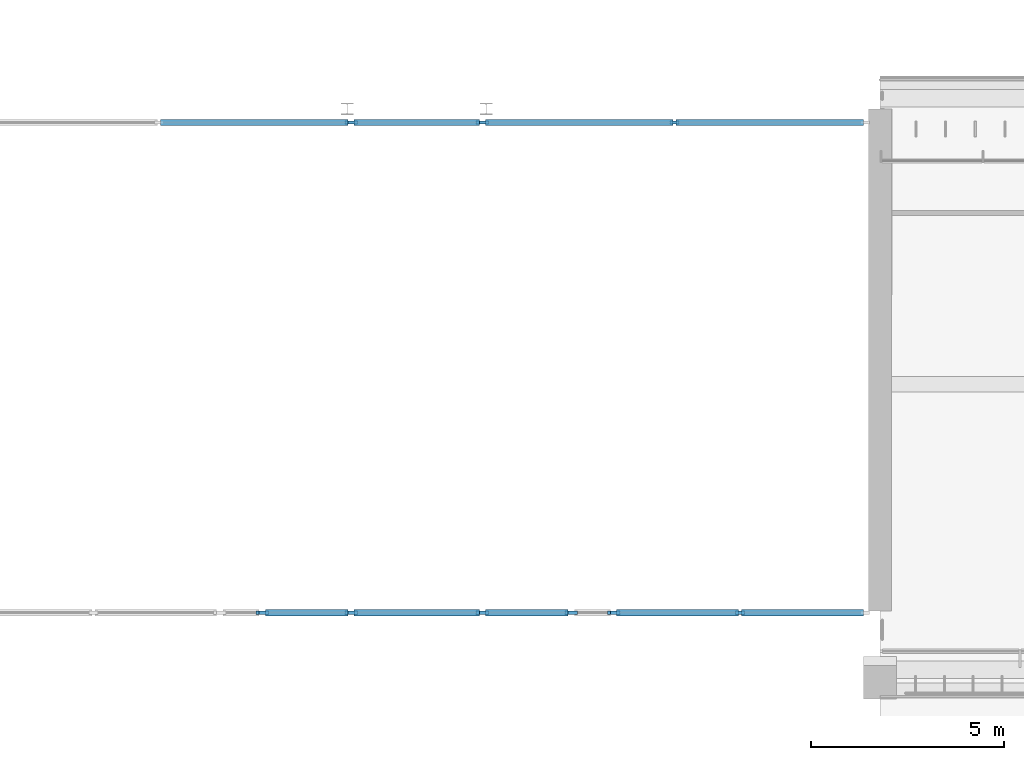
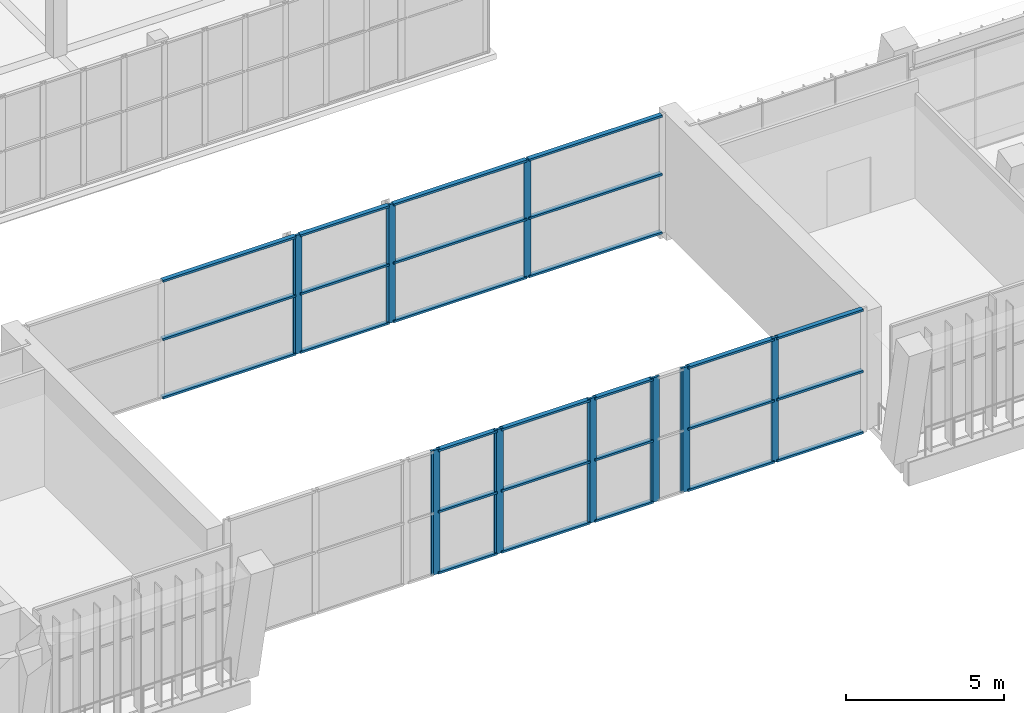
# One storey, part 12 of 92: 43 members, 9 elements without a shape of their own.
"""IFC4 building model written with IfcOpenShell, lengths in metres."""

import ifcopenshell
import ifcopenshell.guid

model = None  # the IFC model being written
_history = None  # IfcOwnerHistory: only IFC2X3 demands one
_inside = {}  # id of a spatial element -> (the spatial element, [elements in it])
_under = {}  # id of a project, library or spatial element -> (it, [spatial elements below it])
_declared = {}  # id of a project -> (the project, [libraries it declares])
_typed = {}  # id of a type object -> (the type object, [elements of that type])
_made_of = {}  # id of a material, layer set ... -> (it, [elements and type objects made of it])


def new_model(schema):
    """Start an empty IFC model of exactly this schema.

    Asked for "IFC4X3", IfcOpenShell would pick the latest addendum, in which some entities
    have other attributes; the version numbers below select the first issue.
    IFC2X3 requires an IfcOwnerHistory on every rooted entity: one is made here for all.
    """
    global model, _history
    if schema == "IFC4X3":
        model = ifcopenshell.file(schema_version=(4, 3, 0, 0))
    else:
        model = ifcopenshell.file(schema=schema)
    _inside.clear()
    _under.clear()
    _declared.clear()
    _typed.clear()
    _made_of.clear()
    _history = None
    if model.schema == "IFC2X3":
        org = make("IfcOrganization", Name="unknown")
        user = make(
            "IfcPersonAndOrganization",
            ThePerson=make("IfcPerson", FamilyName="unknown"),
            TheOrganization=org,
        )
        app = make(
            "IfcApplication",
            ApplicationDeveloper=org,
            Version="unknown",
            ApplicationFullName="unknown",
            ApplicationIdentifier="unknown",
        )
        _history = make(
            "IfcOwnerHistory",
            OwningUser=user,
            OwningApplication=app,
            ChangeAction="ADDED",
            CreationDate=0,
        )
    return model


def make(cls, **values):
    """One entity of the class cls with the attributes given. An attribute that is None is left unset."""
    return model.create_entity(
        cls, **{name: value for name, value in values.items() if value is not None}
    )


def rooted(cls, **values):
    """An entity with a GlobalId (a new one), such as an element, a storey or a relation."""
    return make(cls, GlobalId=ifcopenshell.guid.new(), OwnerHistory=_history, **values)


def si_unit(unit_type, name, prefix=None):
    """IfcSIUnit, for example si_unit("LENGTHUNIT", "METRE", prefix="MILLI")."""
    return make("IfcSIUnit", UnitType=unit_type, Prefix=prefix, Name=name)


def assignment(units):
    """IfcUnitAssignment: the units of a project."""
    return None if units is None else make("IfcUnitAssignment", Units=units)


def point(xyz):
    """IfcCartesianPoint."""
    return None if xyz is None else make("IfcCartesianPoint", Coordinates=xyz)


def direction(xyz):
    """IfcDirection."""
    return None if xyz is None else make("IfcDirection", DirectionRatios=xyz)


def frame(location, z_axis=None, x_axis=None):
    """IfcAxis2Placement3D, a coordinate frame: its origin and axes. An axis left out is left unset."""
    return make(
        "IfcAxis2Placement3D",
        Location=point(location),
        Axis=direction(z_axis),
        RefDirection=direction(x_axis),
    )


def frame_2d(location, x_axis=None):
    """IfcAxis2Placement2D, a coordinate frame in the plane: its origin and x axis."""
    return make(
        "IfcAxis2Placement2D", Location=point(location), RefDirection=direction(x_axis)
    )


def origin():
    """The frame at (0, 0, 0) with its axes left unset."""
    return frame((0.0, 0.0, 0.0))


def origin_2d():
    """The frame at (0, 0) in the plane with its x axis left unset."""
    return frame_2d((0.0, 0.0))


def place(relative_to, where):
    """IfcLocalPlacement: puts the frame where relative to a parent placement (None: the world)."""
    return make(
        "IfcLocalPlacement", PlacementRelTo=relative_to, RelativePlacement=where
    )


def context(
    kind, dimensions, precision=None, world=None, true_north=None, identifier=None
):
    """IfcGeometricRepresentationContext, for example the 3D "Model" context."""
    return make(
        "IfcGeometricRepresentationContext",
        ContextIdentifier=identifier,
        ContextType=kind,
        CoordinateSpaceDimension=dimensions,
        Precision=precision,
        WorldCoordinateSystem=world,
        TrueNorth=true_north,
    )


def subcontext(parent, identifier, kind, view, scale=None):
    """IfcGeometricRepresentationSubContext, for example "Body" below "Model"."""
    return make(
        "IfcGeometricRepresentationSubContext",
        ContextIdentifier=identifier,
        ContextType=kind,
        ParentContext=parent,
        TargetScale=scale,
        TargetView=view,
    )


def project(units=None, contexts=None):
    """IfcProject with its units and contexts."""
    return rooted(
        "IfcProject",
        Name="project",
        RepresentationContexts=contexts,
        UnitsInContext=assignment(units),
    )


def spatial(cls, under=None, at=None, **own):
    """A site, building, storey or space (cls), placed at a placement, below another one or the project."""
    s = rooted(cls, ObjectPlacement=at, **own)
    if under is not None:
        _under.setdefault(under.id(), (under, []))[1].append(s)
    return s


def profile(cls, at=None, kind="AREA", **sizes):
    """A parametric profile (cls). Its sizes go by their IFC names, for example OverallWidth=200.0."""
    return make(cls, ProfileType=kind, Position=at, **sizes)


def rectangle(**sizes):
    """IfcRectangleProfileDef."""
    return profile("IfcRectangleProfileDef", **sizes)


def extrude(swept, where, along, depth):
    """IfcExtrudedAreaSolid: the profile swept, set in the frame where, extruded along a direction by depth."""
    return make(
        "IfcExtrudedAreaSolid",
        SweptArea=swept,
        Position=where,
        ExtrudedDirection=direction(along),
        Depth=depth,
    )


def shape(context_of_items, identifier, shape_type, items):
    """IfcShapeRepresentation: the items that make up one representation, for example the "Body"."""
    return make(
        "IfcShapeRepresentation",
        ContextOfItems=context_of_items,
        RepresentationIdentifier=identifier,
        RepresentationType=shape_type,
        Items=items,
    )


def material(Name=None, Category=None):
    """IfcMaterial."""
    return make("IfcMaterial", Name=Name, Category=Category)


def material_profile(
    of_material, cross_section, Name=None, Category=None, Priority=None
):
    """IfcMaterialProfile: a cross section and its material."""
    return make(
        "IfcMaterialProfile",
        Name=Name,
        Material=of_material,
        Profile=cross_section,
        Priority=Priority,
        Category=Category,
    )


def profile_set(profiles, Name=None, composite=None):
    """IfcMaterialProfileSet."""
    return make(
        "IfcMaterialProfileSet",
        Name=Name,
        MaterialProfiles=profiles,
        CompositeProfile=composite,
    )


def made_of(thing, what):
    """Note that an element or type object is made of a material, layer set ...; save() writes the relation."""
    if what is not None:
        _made_of.setdefault(what.id(), (what, []))[1].append(thing)
    return thing


def type_object(cls, material=None, **own):
    """A type object (cls), such as IfcWallType, which elements share."""
    return made_of(rooted(cls, **own), material)


def element(
    cls,
    number,
    at=None,
    inside=None,
    cuts=None,
    type_object=None,
    material=None,
    context=None,
    identifier="Body",
    shape_type=None,
    held_by="IfcProductDefinitionShape",
    body=None,
    shapes=None,
    **own,
):
    """One element of the class cls, such as IfcWall. Its Tag is "e" and its number.

    at: its placement. inside: the storey or other place that contains it. cuts: it is an
    opening in that element (IfcRelVoidsElement). A single representation is given by context,
    identifier, shape_type and body (its items); several are given by shapes. held_by: the class
    of the entity that holds the representations. save() writes the other relations.
    """
    e = rooted(cls, Tag="e%d" % number, ObjectPlacement=at, **own)
    if body is not None:
        shapes = [shape(context, identifier, shape_type, body)]
    if shapes is not None:
        e.Representation = make(held_by, Representations=shapes)
    if inside is not None:
        _inside.setdefault(inside.id(), (inside, []))[1].append(e)
    if cuts is not None:
        rooted(
            "IfcRelVoidsElement", RelatingBuildingElement=cuts, RelatedOpeningElement=e
        )
    if type_object is not None:
        _typed.setdefault(type_object.id(), (type_object, []))[1].append(e)
    return made_of(e, material)


def aggregate(whole, parts):
    """IfcRelAggregates: a whole, such as a stair, and the parts it consists of."""
    return rooted("IfcRelAggregates", RelatingObject=whole, RelatedObjects=parts)


def save(model, path):
    """Write the relations noted so far, then the file.

    IfcRelAggregates (storeys below a building ...), IfcRelContainedInSpatialStructure (elements
    in a storey), IfcRelDefinesByType, IfcRelAssociatesMaterial and IfcRelDeclares: one each for
    every whole, place, type object, material and project.
    """
    for whole, parts in _under.values():
        aggregate(whole, parts)
    for where, things in _inside.values():
        rooted(
            "IfcRelContainedInSpatialStructure",
            RelatedElements=things,
            RelatingStructure=where,
        )
    for kind, things in _typed.values():
        rooted("IfcRelDefinesByType", RelatedObjects=things, RelatingType=kind)
    for what, things in _made_of.values():
        rooted("IfcRelAssociatesMaterial", RelatedObjects=things, RelatingMaterial=what)
    for by, libraries in _declared.values():
        rooted("IfcRelDeclares", RelatingContext=by, RelatedDefinitions=libraries)
    model.write(path)


model = new_model("IFC4")

# Units and contexts
model_context = context("Model", 3, precision=1e-05, world=origin(), true_north=direction((0.0, 1.0)))
body_context = subcontext(model_context, "Body", "Model", "MODEL_VIEW")
ifc_project = project(units=[si_unit("LENGTHUNIT", "METRE"), si_unit("AREAUNIT", "SQUARE_METRE"), si_unit("VOLUMEUNIT", "CUBIC_METRE"), si_unit("PLANEANGLEUNIT", "RADIAN"), si_unit("MASSUNIT", "GRAM", prefix="KILO")], contexts=[model_context])

# Site, building, storey
site_placement = place(None, origin())
site = spatial("IfcSite", under=ifc_project, at=site_placement, CompositionType="ELEMENT")
building_placement = place(site_placement, origin())
building = spatial("IfcBuilding", under=site, at=building_placement, Name="Lantern Court Media Centre", CompositionType="ELEMENT")
storey_placement = place(building_placement, frame((0.0, 0.0, 4.800048828125)))
storey = spatial("IfcBuildingStorey", under=building, at=storey_placement, Name="L01", CompositionType="ELEMENT", Elevation=4.800048828125)

# Curtain wall, members
ifc_material_1 = material(Name="Curtain wall bay 4000")
curtain_wall_type = type_object("IfcCurtainWallType", Name="Curtain wall bay 4000", PredefinedType="NOTDEFINED", material=ifc_material_1)
curtain_wall_1_placement = place(storey_placement, origin())
curtain_wall_1 = element("IfcCurtainWall", 1, at=curtain_wall_1_placement, inside=storey, type_object=curtain_wall_type, Name="Curtain wall S outer L01", PredefinedType="NOTDEFINED")
ifc_material_2 = material(Name="Anodised aluminium", Category="aluminium")
ifc_material_profile_1 = material_profile(ifc_material_2, rectangle(XDim=0.080078125, YDim=0.239990234375, at=origin_2d()), Name="AL 80x240")
ifc_profile_set_1 = profile_set([ifc_material_profile_1], Name="Anodised aluminium")
member_type_1 = type_object("IfcMemberType", Name="Curtain wall mullion 80x240", PredefinedType="MULLION", material=ifc_profile_set_1)
member_1_placement = place(storey_placement, frame((57.139892578125, 49.14990234375, 0.0), z_axis=(0.0, 0.0, 1.0), x_axis=(0.0, 1.0, 0.0)))
member_1 = element("IfcMember", 2, at=member_1_placement, type_object=member_type_1, Name="CW3 mullion 1", PredefinedType="MULLION", context=body_context, shape_type="SweptSolid", body=[
    extrude(rectangle(XDim=0.080078125, YDim=0.239990234375, at=origin_2d()), origin(), (0.0, 0.0, 1.0), 4.800048828125),
])
member_2_placement = place(storey_placement, frame((60.375, 49.14990234375, 0.0), z_axis=(0.0, 0.0, 1.0), x_axis=(0.0, 1.0, 0.0)))
member_2 = element("IfcMember", 3, at=member_2_placement, type_object=member_type_1, Name="CW3 mullion 2", PredefinedType="MULLION", context=body_context, shape_type="SweptSolid", body=[
    extrude(rectangle(XDim=0.080078125, YDim=0.239990234375, at=origin_2d()), origin(), (0.0, 0.0, 1.0), 4.800048828125),
])

# Curtain wall, member
curtain_wall_2_placement = place(storey_placement, origin())
curtain_wall_2 = element("IfcCurtainWall", 4, at=curtain_wall_2_placement, inside=storey, type_object=curtain_wall_type, Name="Curtain wall S outer L01", PredefinedType="NOTDEFINED")
member_3_placement = place(storey_placement, frame((47.9599609375, 49.14990234375, 0.0), z_axis=(0.0, 0.0, 1.0), x_axis=(0.0, 1.0, 0.0)))
member_3 = element("IfcMember", 5, at=member_3_placement, type_object=member_type_1, Name="CW3 mullion 2", PredefinedType="MULLION", context=body_context, shape_type="SweptSolid", body=[
    extrude(rectangle(XDim=0.080078125, YDim=0.239990234375, at=origin_2d()), origin(), (0.0, 0.0, 1.0), 4.800048828125),
])
aggregate(curtain_wall_2, [member_3])

# Curtain wall, members
curtain_wall_3_placement = place(storey_placement, origin())
curtain_wall_3 = element("IfcCurtainWall", 6, at=curtain_wall_3_placement, inside=storey, type_object=curtain_wall_type, Name="Curtain wall S outer L01", PredefinedType="NOTDEFINED")
member_4_placement = place(storey_placement, frame((48.0400390625, 49.14990234375, 0.0), z_axis=(0.0, 0.0, 1.0), x_axis=(0.0, 1.0, 0.0)))
member_4 = element("IfcMember", 7, at=member_4_placement, type_object=member_type_1, Name="CW3 mullion 1", PredefinedType="MULLION", context=body_context, shape_type="SweptSolid", body=[
    extrude(rectangle(XDim=0.080078125, YDim=0.239990234375, at=origin_2d()), origin(), (0.0, 0.0, 1.0), 4.800048828125),
])
member_5_placement = place(storey_placement, frame((50.260009765625, 49.14990234375, 0.0), z_axis=(0.0, 0.0, 1.0), x_axis=(0.0, 1.0, 0.0)))
member_5 = element("IfcMember", 8, at=member_5_placement, type_object=member_type_1, Name="CW3 mullion 2", PredefinedType="MULLION", context=body_context, shape_type="SweptSolid", body=[
    extrude(rectangle(XDim=0.080078125, YDim=0.239990234375, at=origin_2d()), origin(), (0.0, 0.0, 1.0), 4.800048828125),
])

curtain_wall_4_placement = place(storey_placement, origin())
curtain_wall_4 = element("IfcCurtainWall", 9, at=curtain_wall_4_placement, inside=storey, type_object=curtain_wall_type, Name="Curtain wall S outer L01", PredefinedType="NOTDEFINED")
member_6_placement = place(storey_placement, frame((50.340087890625, 49.14990234375, 0.0), z_axis=(0.0, 0.0, 1.0), x_axis=(0.0, 1.0, 0.0)))
member_6 = element("IfcMember", 10, at=member_6_placement, type_object=member_type_1, Name="CW3 mullion 1", PredefinedType="MULLION", context=body_context, shape_type="SweptSolid", body=[
    extrude(rectangle(XDim=0.080078125, YDim=0.239990234375, at=origin_2d()), origin(), (0.0, 0.0, 1.0), 4.800048828125),
])
member_7_placement = place(storey_placement, frame((53.659912109375, 49.14990234375, 0.0), z_axis=(0.0, 0.0, 1.0), x_axis=(0.0, 1.0, 0.0)))
member_7 = element("IfcMember", 11, at=member_7_placement, type_object=member_type_1, Name="CW3 mullion 2", PredefinedType="MULLION", context=body_context, shape_type="SweptSolid", body=[
    extrude(rectangle(XDim=0.080078125, YDim=0.239990234375, at=origin_2d()), origin(), (0.0, 0.0, 1.0), 4.800048828125),
])

curtain_wall_5_placement = place(storey_placement, origin())
curtain_wall_5 = element("IfcCurtainWall", 12, at=curtain_wall_5_placement, inside=storey, type_object=curtain_wall_type, Name="Curtain wall S outer L01", PredefinedType="NOTDEFINED")
member_8_placement = place(storey_placement, frame((53.739990234375, 49.14990234375, 0.0), z_axis=(0.0, 0.0, 1.0), x_axis=(0.0, 1.0, 0.0)))
member_8 = element("IfcMember", 13, at=member_8_placement, type_object=member_type_1, Name="CW3 mullion 1", PredefinedType="MULLION", context=body_context, shape_type="SweptSolid", body=[
    extrude(rectangle(XDim=0.080078125, YDim=0.239990234375, at=origin_2d()), origin(), (0.0, 0.0, 1.0), 4.800048828125),
])
member_9_placement = place(storey_placement, frame((55.9599609375, 49.14990234375, 0.0), z_axis=(0.0, 0.0, 1.0), x_axis=(0.0, 1.0, 0.0)))
member_9 = element("IfcMember", 14, at=member_9_placement, type_object=member_type_1, Name="CW3 mullion 2", PredefinedType="MULLION", context=body_context, shape_type="SweptSolid", body=[
    extrude(rectangle(XDim=0.080078125, YDim=0.239990234375, at=origin_2d()), origin(), (0.0, 0.0, 1.0), 4.800048828125),
])

curtain_wall_6_placement = place(storey_placement, origin())
curtain_wall_6 = element("IfcCurtainWall", 15, at=curtain_wall_6_placement, inside=storey, type_object=curtain_wall_type, Name="Curtain wall S outer L01", PredefinedType="NOTDEFINED")
member_10_placement = place(storey_placement, frame((56.0400390625, 49.14990234375, 0.0), z_axis=(0.0, 0.0, 1.0), x_axis=(0.0, 1.0, 0.0)))
member_10 = element("IfcMember", 16, at=member_10_placement, type_object=member_type_1, Name="CW3 mullion 1", PredefinedType="MULLION", context=body_context, shape_type="SweptSolid", body=[
    extrude(rectangle(XDim=0.080078125, YDim=0.239990234375, at=origin_2d()), origin(), (0.0, 0.0, 1.0), 4.800048828125),
])
member_11_placement = place(storey_placement, frame((57.06005859375, 49.14990234375, 0.0), z_axis=(0.0, 0.0, 1.0), x_axis=(0.0, 1.0, 0.0)))
member_11 = element("IfcMember", 17, at=member_11_placement, type_object=member_type_1, Name="CW3 mullion 2", PredefinedType="MULLION", context=body_context, shape_type="SweptSolid", body=[
    extrude(rectangle(XDim=0.080078125, YDim=0.239990234375, at=origin_2d()), origin(), (0.0, 0.0, 1.0), 4.800048828125),
])
aggregate(curtain_wall_6, [member_10, member_11])

# Curtain wall, member
curtain_wall_7_placement = place(storey_placement, origin())
curtain_wall_7 = element("IfcCurtainWall", 18, at=curtain_wall_7_placement, inside=storey, type_object=curtain_wall_type, Name="Curtain wall S inner L01", PredefinedType="NOTDEFINED")
member_12_placement = place(storey_placement, frame((50.260009765625, 61.85009765625, 0.0), z_axis=(0.0, 0.0, 1.0), x_axis=(0.0, 1.0, 0.0)))
member_12 = element("IfcMember", 19, at=member_12_placement, type_object=member_type_1, Name="CW3 mullion 3", PredefinedType="MULLION", context=body_context, shape_type="SweptSolid", body=[
    extrude(rectangle(XDim=0.080078125, YDim=0.239990234375, at=origin_2d()), origin(), (0.0, 0.0, 1.0), 4.579833984375),
])

# Curtain wall, members
curtain_wall_8_placement = place(storey_placement, origin())
curtain_wall_8 = element("IfcCurtainWall", 20, at=curtain_wall_8_placement, inside=storey, type_object=curtain_wall_type, Name="Curtain wall S inner L01", PredefinedType="NOTDEFINED")
member_13_placement = place(storey_placement, frame((53.739990234375, 61.85009765625, 0.0), z_axis=(0.0, 0.0, 1.0), x_axis=(0.0, 1.0, 0.0)))
member_13 = element("IfcMember", 21, at=member_13_placement, type_object=member_type_1, Name="CW3 mullion 1", PredefinedType="MULLION", context=body_context, shape_type="SweptSolid", body=[
    extrude(rectangle(XDim=0.080078125, YDim=0.239990234375, at=origin_2d()), origin(), (0.0, 0.0, 1.0), 4.579833984375),
])
member_14_placement = place(storey_placement, frame((58.675048828125, 61.85009765625, 0.0), z_axis=(0.0, 0.0, 1.0), x_axis=(0.0, 1.0, 0.0)))
member_14 = element("IfcMember", 22, at=member_14_placement, type_object=member_type_1, Name="CW3 mullion 2", PredefinedType="MULLION", context=body_context, shape_type="SweptSolid", body=[
    extrude(rectangle(XDim=0.080078125, YDim=0.239990234375, at=origin_2d()), origin(), (0.0, 0.0, 1.0), 4.579833984375),
])

curtain_wall_9_placement = place(storey_placement, origin())
curtain_wall_9 = element("IfcCurtainWall", 23, at=curtain_wall_9_placement, inside=storey, type_object=curtain_wall_type, Name="Curtain wall S inner L01", PredefinedType="NOTDEFINED")
member_15_placement = place(storey_placement, frame((50.340087890625, 61.85009765625, 0.0), z_axis=(0.0, 0.0, 1.0), x_axis=(0.0, 1.0, 0.0)))
member_15 = element("IfcMember", 24, at=member_15_placement, type_object=member_type_1, Name="CW3 mullion 1", PredefinedType="MULLION", context=body_context, shape_type="SweptSolid", body=[
    extrude(rectangle(XDim=0.080078125, YDim=0.239990234375, at=origin_2d()), origin(), (0.0, 0.0, 1.0), 4.579833984375),
])
member_16_placement = place(storey_placement, frame((53.659912109375, 61.85009765625, 0.0), z_axis=(0.0, 0.0, 1.0), x_axis=(0.0, 1.0, 0.0)))
member_16 = element("IfcMember", 25, at=member_16_placement, type_object=member_type_1, Name="CW3 mullion 2", PredefinedType="MULLION", context=body_context, shape_type="SweptSolid", body=[
    extrude(rectangle(XDim=0.080078125, YDim=0.239990234375, at=origin_2d()), origin(), (0.0, 0.0, 1.0), 4.579833984375),
])

# Member
ifc_material_profile_2 = material_profile(ifc_material_2, rectangle(XDim=0.159912109375, YDim=0.080078125, at=origin_2d()), Name="AL 80x160")
ifc_profile_set_2 = profile_set([ifc_material_profile_2], Name="Anodised aluminium")
member_type_2 = type_object("IfcMemberType", Name="Curtain wall transom 160x80", PredefinedType="USERDEFINED", material=ifc_profile_set_2)
member_17_placement = place(storey_placement, frame((57.179931640625, 49.14990234375, 0.0400390625), z_axis=(1.0, 0.0, 0.0), x_axis=(0.0, 1.0, 0.0)))
member_17 = element("IfcMember", 26, at=member_17_placement, type_object=member_type_2, Name="CW3 transom 1.1", ObjectType="TRANSOM", PredefinedType="USERDEFINED", context=body_context, shape_type="SweptSolid", body=[
    extrude(rectangle(XDim=0.159912109375, YDim=0.080078125, at=origin_2d()), origin(), (0.0, 0.0, 1.0), 3.155029296875),
])

member_18_placement = place(storey_placement, frame((57.179931640625, 49.14990234375, 2.39990234375), z_axis=(1.0, 0.0, 0.0), x_axis=(0.0, 1.0, 0.0)))
member_18 = element("IfcMember", 27, at=member_18_placement, type_object=member_type_2, Name="CW3 transom 1.2", ObjectType="TRANSOM", PredefinedType="USERDEFINED", context=body_context, shape_type="SweptSolid", body=[
    extrude(rectangle(XDim=0.159912109375, YDim=0.080078125, at=origin_2d()), origin(), (0.0, 0.0, 1.0), 3.155029296875),
])

member_19_placement = place(storey_placement, frame((57.179931640625, 49.14990234375, 4.760009765625), z_axis=(1.0, 0.0, 0.0), x_axis=(0.0, 1.0, 0.0)))
member_19 = element("IfcMember", 28, at=member_19_placement, type_object=member_type_2, Name="CW3 transom 1.3", ObjectType="TRANSOM", PredefinedType="USERDEFINED", context=body_context, shape_type="SweptSolid", body=[
    extrude(rectangle(XDim=0.159912109375, YDim=0.080078125, at=origin_2d()), origin(), (0.0, 0.0, 1.0), 3.155029296875),
])

member_20_placement = place(storey_placement, frame((60.4150390625, 49.14990234375, 0.0400390625), z_axis=(1.0, 0.0, 0.0), x_axis=(0.0, 1.0, 0.0)))
member_20 = element("IfcMember", 29, at=member_20_placement, type_object=member_type_2, Name="CW3 transom 2.1", ObjectType="TRANSOM", PredefinedType="USERDEFINED", context=body_context, shape_type="SweptSolid", body=[
    extrude(rectangle(XDim=0.159912109375, YDim=0.080078125, at=origin_2d()), origin(), (0.0, 0.0, 1.0), 3.155029296875),
])

member_21_placement = place(storey_placement, frame((60.4150390625, 49.14990234375, 2.39990234375), z_axis=(1.0, 0.0, 0.0), x_axis=(0.0, 1.0, 0.0)))
member_21 = element("IfcMember", 30, at=member_21_placement, type_object=member_type_2, Name="CW3 transom 2.2", ObjectType="TRANSOM", PredefinedType="USERDEFINED", context=body_context, shape_type="SweptSolid", body=[
    extrude(rectangle(XDim=0.159912109375, YDim=0.080078125, at=origin_2d()), origin(), (0.0, 0.0, 1.0), 3.155029296875),
])

member_22_placement = place(storey_placement, frame((60.4150390625, 49.14990234375, 4.760009765625), z_axis=(1.0, 0.0, 0.0), x_axis=(0.0, 1.0, 0.0)))
member_22 = element("IfcMember", 31, at=member_22_placement, type_object=member_type_2, Name="CW3 transom 2.3", ObjectType="TRANSOM", PredefinedType="USERDEFINED", context=body_context, shape_type="SweptSolid", body=[
    extrude(rectangle(XDim=0.159912109375, YDim=0.080078125, at=origin_2d()), origin(), (0.0, 0.0, 1.0), 3.155029296875),
])

aggregate(curtain_wall_1, [member_1, member_2, member_17, member_18, member_19, member_20, member_21, member_22])

member_23_placement = place(storey_placement, frame((48.080078125, 49.14990234375, 0.0400390625), z_axis=(1.0, 0.0, 0.0), x_axis=(0.0, 1.0, 0.0)))
member_23 = element("IfcMember", 32, at=member_23_placement, type_object=member_type_2, Name="CW3 transom 1.1", ObjectType="TRANSOM", PredefinedType="USERDEFINED", context=body_context, shape_type="SweptSolid", body=[
    extrude(rectangle(XDim=0.159912109375, YDim=0.080078125, at=origin_2d()), origin(), (0.0, 0.0, 1.0), 2.139892578125),
])

member_24_placement = place(storey_placement, frame((48.080078125, 49.14990234375, 2.39990234375), z_axis=(1.0, 0.0, 0.0), x_axis=(0.0, 1.0, 0.0)))
member_24 = element("IfcMember", 33, at=member_24_placement, type_object=member_type_2, Name="CW3 transom 1.2", ObjectType="TRANSOM", PredefinedType="USERDEFINED", context=body_context, shape_type="SweptSolid", body=[
    extrude(rectangle(XDim=0.159912109375, YDim=0.080078125, at=origin_2d()), origin(), (0.0, 0.0, 1.0), 2.139892578125),
])

member_25_placement = place(storey_placement, frame((48.080078125, 49.14990234375, 4.760009765625), z_axis=(1.0, 0.0, 0.0), x_axis=(0.0, 1.0, 0.0)))
member_25 = element("IfcMember", 34, at=member_25_placement, type_object=member_type_2, Name="CW3 transom 1.3", ObjectType="TRANSOM", PredefinedType="USERDEFINED", context=body_context, shape_type="SweptSolid", body=[
    extrude(rectangle(XDim=0.159912109375, YDim=0.080078125, at=origin_2d()), origin(), (0.0, 0.0, 1.0), 2.139892578125),
])

aggregate(curtain_wall_3, [member_4, member_5, member_23, member_24, member_25])

member_26_placement = place(storey_placement, frame((50.3798828125, 49.14990234375, 0.0400390625), z_axis=(1.0, 0.0, 0.0), x_axis=(0.0, 1.0, 0.0)))
member_26 = element("IfcMember", 35, at=member_26_placement, type_object=member_type_2, Name="CW3 transom 1.1", ObjectType="TRANSOM", PredefinedType="USERDEFINED", context=body_context, shape_type="SweptSolid", body=[
    extrude(rectangle(XDim=0.159912109375, YDim=0.080078125, at=origin_2d()), origin(), (0.0, 0.0, 1.0), 3.240234375),
])

member_27_placement = place(storey_placement, frame((50.3798828125, 49.14990234375, 2.39990234375), z_axis=(1.0, 0.0, 0.0), x_axis=(0.0, 1.0, 0.0)))
member_27 = element("IfcMember", 36, at=member_27_placement, type_object=member_type_2, Name="CW3 transom 1.2", ObjectType="TRANSOM", PredefinedType="USERDEFINED", context=body_context, shape_type="SweptSolid", body=[
    extrude(rectangle(XDim=0.159912109375, YDim=0.080078125, at=origin_2d()), origin(), (0.0, 0.0, 1.0), 3.240234375),
])

member_28_placement = place(storey_placement, frame((50.3798828125, 49.14990234375, 4.760009765625), z_axis=(1.0, 0.0, 0.0), x_axis=(0.0, 1.0, 0.0)))
member_28 = element("IfcMember", 37, at=member_28_placement, type_object=member_type_2, Name="CW3 transom 1.3", ObjectType="TRANSOM", PredefinedType="USERDEFINED", context=body_context, shape_type="SweptSolid", body=[
    extrude(rectangle(XDim=0.159912109375, YDim=0.080078125, at=origin_2d()), origin(), (0.0, 0.0, 1.0), 3.240234375),
])

aggregate(curtain_wall_4, [member_6, member_7, member_26, member_27, member_28])

member_29_placement = place(storey_placement, frame((53.780029296875, 49.14990234375, 0.0400390625), z_axis=(1.0, 0.0, 0.0), x_axis=(0.0, 1.0, 0.0)))
member_29 = element("IfcMember", 38, at=member_29_placement, type_object=member_type_2, Name="CW3 transom 1.1", ObjectType="TRANSOM", PredefinedType="USERDEFINED", context=body_context, shape_type="SweptSolid", body=[
    extrude(rectangle(XDim=0.159912109375, YDim=0.080078125, at=origin_2d()), origin(), (0.0, 0.0, 1.0), 2.139892578125),
])

member_30_placement = place(storey_placement, frame((53.780029296875, 49.14990234375, 2.39990234375), z_axis=(1.0, 0.0, 0.0), x_axis=(0.0, 1.0, 0.0)))
member_30 = element("IfcMember", 39, at=member_30_placement, type_object=member_type_2, Name="CW3 transom 1.2", ObjectType="TRANSOM", PredefinedType="USERDEFINED", context=body_context, shape_type="SweptSolid", body=[
    extrude(rectangle(XDim=0.159912109375, YDim=0.080078125, at=origin_2d()), origin(), (0.0, 0.0, 1.0), 2.139892578125),
])

member_31_placement = place(storey_placement, frame((53.780029296875, 49.14990234375, 4.760009765625), z_axis=(1.0, 0.0, 0.0), x_axis=(0.0, 1.0, 0.0)))
member_31 = element("IfcMember", 40, at=member_31_placement, type_object=member_type_2, Name="CW3 transom 1.3", ObjectType="TRANSOM", PredefinedType="USERDEFINED", context=body_context, shape_type="SweptSolid", body=[
    extrude(rectangle(XDim=0.159912109375, YDim=0.080078125, at=origin_2d()), origin(), (0.0, 0.0, 1.0), 2.139892578125),
])

aggregate(curtain_wall_5, [member_8, member_9, member_29, member_30, member_31])

member_32_placement = place(storey_placement, frame((45.364990234375, 61.85009765625, 0.0400390625), z_axis=(1.0, 0.0, 0.0), x_axis=(0.0, 1.0, 0.0)))
member_32 = element("IfcMember", 41, at=member_32_placement, type_object=member_type_2, Name="CW3 transom 2.1", ObjectType="TRANSOM", PredefinedType="USERDEFINED", context=body_context, shape_type="SweptSolid", body=[
    extrude(rectangle(XDim=0.159912109375, YDim=0.080078125, at=origin_2d()), origin(), (0.0, 0.0, 1.0), 4.85498046875),
])

member_33_placement = place(storey_placement, frame((45.364990234375, 61.85009765625, 2.2900390625), z_axis=(1.0, 0.0, 0.0), x_axis=(0.0, 1.0, 0.0)))
member_33 = element("IfcMember", 42, at=member_33_placement, type_object=member_type_2, Name="CW3 transom 2.2", ObjectType="TRANSOM", PredefinedType="USERDEFINED", context=body_context, shape_type="SweptSolid", body=[
    extrude(rectangle(XDim=0.159912109375, YDim=0.080078125, at=origin_2d()), origin(), (0.0, 0.0, 1.0), 4.85498046875),
])

member_34_placement = place(storey_placement, frame((45.364990234375, 61.85009765625, 4.5400390625), z_axis=(1.0, 0.0, 0.0), x_axis=(0.0, 1.0, 0.0)))
member_34 = element("IfcMember", 43, at=member_34_placement, type_object=member_type_2, Name="CW3 transom 2.3", ObjectType="TRANSOM", PredefinedType="USERDEFINED", context=body_context, shape_type="SweptSolid", body=[
    extrude(rectangle(XDim=0.159912109375, YDim=0.080078125, at=origin_2d()), origin(), (0.0, 0.0, 1.0), 4.85498046875),
])

aggregate(curtain_wall_7, [member_12, member_32, member_33, member_34])

member_35_placement = place(storey_placement, frame((53.780029296875, 61.85009765625, 0.0400390625), z_axis=(1.0, 0.0, 0.0), x_axis=(0.0, 1.0, 0.0)))
member_35 = element("IfcMember", 44, at=member_35_placement, type_object=member_type_2, Name="CW3 transom 1.1", ObjectType="TRANSOM", PredefinedType="USERDEFINED", context=body_context, shape_type="SweptSolid", body=[
    extrude(rectangle(XDim=0.159912109375, YDim=0.080078125, at=origin_2d()), origin(), (0.0, 0.0, 1.0), 4.85498046875),
])

member_36_placement = place(storey_placement, frame((53.780029296875, 61.85009765625, 2.2900390625), z_axis=(1.0, 0.0, 0.0), x_axis=(0.0, 1.0, 0.0)))
member_36 = element("IfcMember", 45, at=member_36_placement, type_object=member_type_2, Name="CW3 transom 1.2", ObjectType="TRANSOM", PredefinedType="USERDEFINED", context=body_context, shape_type="SweptSolid", body=[
    extrude(rectangle(XDim=0.159912109375, YDim=0.080078125, at=origin_2d()), origin(), (0.0, 0.0, 1.0), 4.85498046875),
])

member_37_placement = place(storey_placement, frame((53.780029296875, 61.85009765625, 4.5400390625), z_axis=(1.0, 0.0, 0.0), x_axis=(0.0, 1.0, 0.0)))
member_37 = element("IfcMember", 46, at=member_37_placement, type_object=member_type_2, Name="CW3 transom 1.3", ObjectType="TRANSOM", PredefinedType="USERDEFINED", context=body_context, shape_type="SweptSolid", body=[
    extrude(rectangle(XDim=0.159912109375, YDim=0.080078125, at=origin_2d()), origin(), (0.0, 0.0, 1.0), 4.85498046875),
])

member_38_placement = place(storey_placement, frame((58.715087890625, 61.85009765625, 0.0400390625), z_axis=(1.0, 0.0, 0.0), x_axis=(0.0, 1.0, 0.0)))
member_38 = element("IfcMember", 47, at=member_38_placement, type_object=member_type_2, Name="CW3 transom 2.1", ObjectType="TRANSOM", PredefinedType="USERDEFINED", context=body_context, shape_type="SweptSolid", body=[
    extrude(rectangle(XDim=0.159912109375, YDim=0.080078125, at=origin_2d()), origin(), (0.0, 0.0, 1.0), 4.85498046875),
])

member_39_placement = place(storey_placement, frame((58.715087890625, 61.85009765625, 2.2900390625), z_axis=(1.0, 0.0, 0.0), x_axis=(0.0, 1.0, 0.0)))
member_39 = element("IfcMember", 48, at=member_39_placement, type_object=member_type_2, Name="CW3 transom 2.2", ObjectType="TRANSOM", PredefinedType="USERDEFINED", context=body_context, shape_type="SweptSolid", body=[
    extrude(rectangle(XDim=0.159912109375, YDim=0.080078125, at=origin_2d()), origin(), (0.0, 0.0, 1.0), 4.85498046875),
])

member_40_placement = place(storey_placement, frame((58.715087890625, 61.85009765625, 4.5400390625), z_axis=(1.0, 0.0, 0.0), x_axis=(0.0, 1.0, 0.0)))
member_40 = element("IfcMember", 49, at=member_40_placement, type_object=member_type_2, Name="CW3 transom 2.3", ObjectType="TRANSOM", PredefinedType="USERDEFINED", context=body_context, shape_type="SweptSolid", body=[
    extrude(rectangle(XDim=0.159912109375, YDim=0.080078125, at=origin_2d()), origin(), (0.0, 0.0, 1.0), 4.85498046875),
])

aggregate(curtain_wall_8, [member_13, member_14, member_35, member_36, member_37, member_38, member_39, member_40])

member_41_placement = place(storey_placement, frame((50.3798828125, 61.85009765625, 0.0400390625), z_axis=(1.0, 0.0, 0.0), x_axis=(0.0, 1.0, 0.0)))
member_41 = element("IfcMember", 50, at=member_41_placement, type_object=member_type_2, Name="CW3 transom 1.1", ObjectType="TRANSOM", PredefinedType="USERDEFINED", context=body_context, shape_type="SweptSolid", body=[
    extrude(rectangle(XDim=0.159912109375, YDim=0.080078125, at=origin_2d()), origin(), (0.0, 0.0, 1.0), 3.240234375),
])

member_42_placement = place(storey_placement, frame((50.3798828125, 61.85009765625, 2.2900390625), z_axis=(1.0, 0.0, 0.0), x_axis=(0.0, 1.0, 0.0)))
member_42 = element("IfcMember", 51, at=member_42_placement, type_object=member_type_2, Name="CW3 transom 1.2", ObjectType="TRANSOM", PredefinedType="USERDEFINED", context=body_context, shape_type="SweptSolid", body=[
    extrude(rectangle(XDim=0.159912109375, YDim=0.080078125, at=origin_2d()), origin(), (0.0, 0.0, 1.0), 3.240234375),
])

member_43_placement = place(storey_placement, frame((50.3798828125, 61.85009765625, 4.5400390625), z_axis=(1.0, 0.0, 0.0), x_axis=(0.0, 1.0, 0.0)))
member_43 = element("IfcMember", 52, at=member_43_placement, type_object=member_type_2, Name="CW3 transom 1.3", ObjectType="TRANSOM", PredefinedType="USERDEFINED", context=body_context, shape_type="SweptSolid", body=[
    extrude(rectangle(XDim=0.159912109375, YDim=0.080078125, at=origin_2d()), origin(), (0.0, 0.0, 1.0), 3.240234375),
])

aggregate(curtain_wall_9, [member_15, member_16, member_41, member_42, member_43])

save(model, "model.ifc")
